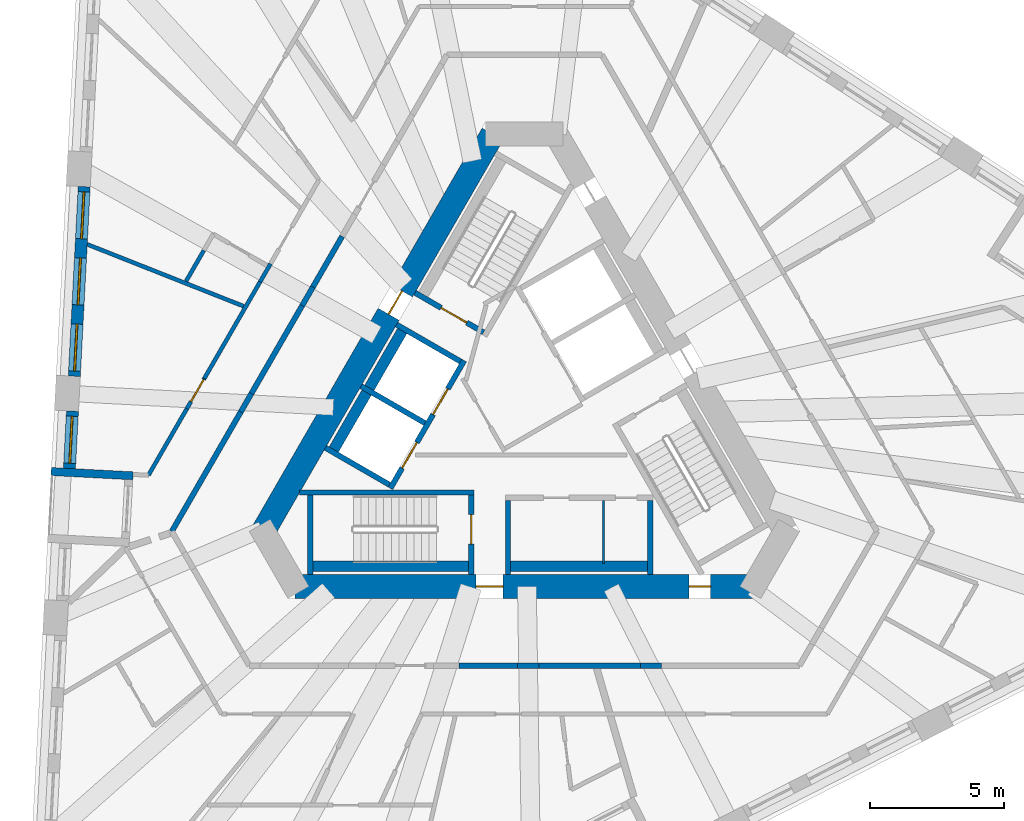
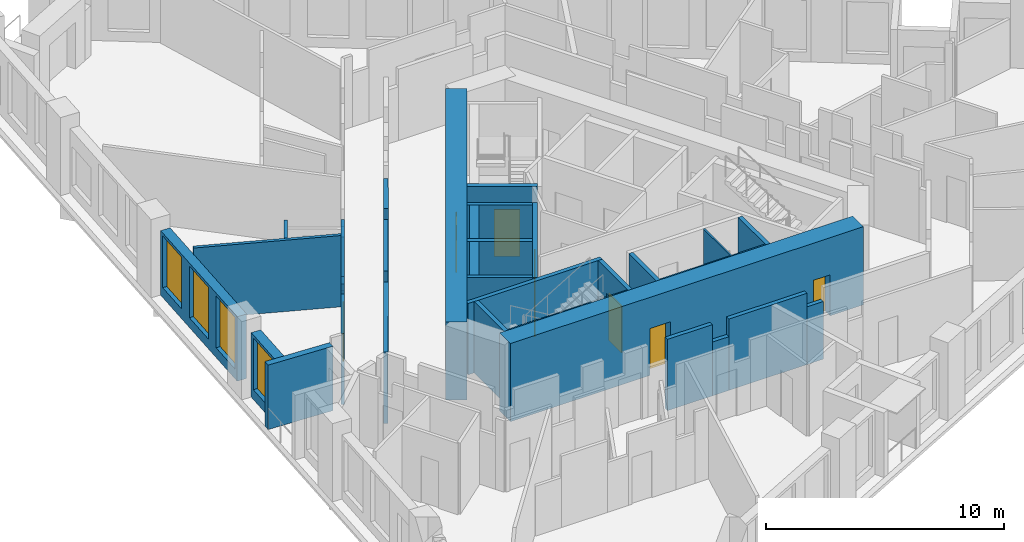
# One storey, part 4 of 13: 34 walls, 8 doors, 4 windows, 12 openings.
"""IFC4 building model written with IfcOpenShell, lengths in metres."""

from ifc_helpers import new_model, si_unit, direction, frame, frame_2d, origin, place, context, subcontext, project, spatial, polyline, rectangle, outline, extrude, material, layer, layer_set, type_object, element, fill, save


model = new_model("IFC4")

# Units and contexts
model_context = context("Model", 3, precision=1e-05, world=origin(), true_north=direction((0.0, 1.0)))
body_context = subcontext(model_context, "Body", "Model", "MODEL_VIEW")
ifc_project = project(units=[si_unit("LENGTHUNIT", "METRE"), si_unit("AREAUNIT", "SQUARE_METRE"), si_unit("VOLUMEUNIT", "CUBIC_METRE"), si_unit("PLANEANGLEUNIT", "RADIAN"), si_unit("MASSUNIT", "GRAM", prefix="KILO")], contexts=[model_context])

# Site, building, storey
site_placement = place(None, origin())
site = spatial("IfcSite", under=ifc_project, at=site_placement, CompositionType="ELEMENT")
building_placement = place(site_placement, origin())
building = spatial("IfcBuilding", under=site, at=building_placement, Name="Tramontana Tower", CompositionType="ELEMENT")
storey_placement = place(building_placement, frame((0.0, 0.0, 141.60009765625)))
storey = spatial("IfcBuildingStorey", under=building, at=storey_placement, Name="L32", CompositionType="ELEMENT", Elevation=141.60009765625)

# Wall, opening, door
ifc_material_1 = material(Name="Concrete 70 MPa", Category="concrete")
ifc_layer_1 = layer(ifc_material_1, 0.89990234375)
ifc_layer_set_1 = layer_set([ifc_layer_1], Name="Core wall 900 70 MPa")
wall_type_1 = type_object("IfcWallType", Name="Core wall 900 70 MPa", PredefinedType="SHEAR", material=ifc_layer_set_1)
wall_1_placement = place(storey_placement, frame((-1.18359375, 10.550048828125, 0.0), z_axis=(0.0, 0.0, 1.0), x_axis=(-0.500004814304, -0.866022624227, 0.0)))
wall_1 = element("IfcWall", 1, at=wall_1_placement, inside=storey, type_object=wall_type_1, Name="Core wall C1 L32", PredefinedType="SHEAR", context=body_context, shape_type="SweptSolid", body=[
    extrude(rectangle(XDim=17.089599609375, YDim=0.89990234375, at=frame_2d((8.544921875, 0.0))), origin(), (0.0, 0.0, 1.0), 4.0),
])
opening_1_placement = place(wall_1_placement, frame((6.749755859375, 0.0, 0.0)))
opening_1 = element("IfcOpeningElement", 2, at=opening_1_placement, cuts=wall_1, Name="Opening RG1", PredefinedType="OPENING", context=body_context, shape_type="SweptSolid", body=[
    extrude(rectangle(XDim=1.0, YDim=2.39990234375, at=frame_2d((0.5, 1.199951171875))), frame((0.0, 0.4599609375, 0.0), z_axis=(0.0, -1.0, 0.0), x_axis=(1.0, 0.0, 0.0)), (0.0, 0.0, 1.0), 0.919921875),
])
ifc_material_2 = material(Name="Painted steel", Category="steel")
door_type_1 = type_object("IfcDoorType", Name="RING DOOR 1000", OperationType="SINGLE_SWING_LEFT", PredefinedType="DOOR", material=ifc_material_2)
door_1_placement = place(opening_1_placement, origin())
door_1 = element("IfcDoor", 3, at=door_1_placement, inside=storey, type_object=door_type_1, Name="Door RG1", OperationType="SINGLE_SWING_RIGHT", OverallHeight=2.39990234375, OverallWidth=1.0, PredefinedType="DOOR", context=body_context, shape_type="SweptSolid", body=[
    extrude(rectangle(XDim=1.0, YDim=2.39990234375, at=frame_2d((0.5, 1.199951171875))), frame((0.0, 0.02490234375, 0.0), z_axis=(0.0, -1.0, 0.0), x_axis=(1.0, 0.0, 0.0)), (0.0, 0.0, 1.0), 0.050048828125),
])
fill(opening_1, door_1)

# Wall, openings, doors
wall_2_placement = place(storey_placement, frame((-8.544921875, -6.300048828125, 0.0), z_axis=(0.0, 0.0, 1.0), x_axis=(1.0, 0.0, 0.0)))
wall_2 = element("IfcWall", 4, at=wall_2_placement, inside=storey, type_object=wall_type_1, Name="Core wall C3 L32", PredefinedType="SHEAR", context=body_context, shape_type="SweptSolid", body=[
    extrude(rectangle(XDim=17.08984375, YDim=0.89990234375, at=frame_2d((8.544921875, 0.0))), origin(), (0.0, 0.0, 1.0), 4.0),
])
opening_2_placement = place(wall_2_placement, frame((6.749755859375, 0.0, 0.0)))
opening_2 = element("IfcOpeningElement", 5, at=opening_2_placement, cuts=wall_2, Name="Opening RG2", PredefinedType="OPENING", context=body_context, shape_type="SweptSolid", body=[
    extrude(rectangle(XDim=1.0, YDim=2.39990234375, at=frame_2d((0.5, 1.199951171875))), frame((0.0, 0.4599609375, 0.0), z_axis=(0.0, -1.0, 0.0), x_axis=(1.0, 0.0, 0.0)), (0.0, 0.0, 1.0), 0.919921875),
])
opening_3_placement = place(wall_2_placement, frame((14.678466796875, 0.0, 0.0)))
opening_3 = element("IfcOpeningElement", 6, at=opening_3_placement, cuts=wall_2, Name="Opening PD2", PredefinedType="OPENING", context=body_context, shape_type="SweptSolid", body=[
    extrude(rectangle(XDim=0.800048828125, YDim=2.10009765625, at=frame_2d((0.39990234375, 1.050048828125))), frame((0.0, 0.4599609375, 0.0), z_axis=(0.0, -1.0, 0.0), x_axis=(1.0, 0.0, 0.0)), (0.0, 0.0, 1.0), 0.919921875),
])
ifc_material_3 = material(Name="Painted steel", Category="steel")
door_type_2 = type_object("IfcDoorType", Name="CUPBOARD DOOR 800", OperationType="SINGLE_SWING_LEFT", PredefinedType="DOOR", material=ifc_material_3)
door_2_placement = place(opening_3_placement, origin())
door_2 = element("IfcDoor", 7, at=door_2_placement, inside=storey, type_object=door_type_2, Name="Door PD2", OperationType="SINGLE_SWING_LEFT", OverallHeight=2.10009765625, OverallWidth=0.800048828125, PredefinedType="DOOR", context=body_context, shape_type="SweptSolid", body=[
    extrude(rectangle(XDim=0.800048828125, YDim=2.10009765625, at=frame_2d((0.39990234375, 1.050048828125))), frame((0.0, 0.02490234375, 0.0), z_axis=(0.0, -1.0, 0.0), x_axis=(1.0, 0.0, 0.0)), (0.0, 0.0, 1.0), 0.050048828125),
])
fill(opening_3, door_2)
door_3_placement = place(opening_2_placement, origin())
door_3 = element("IfcDoor", 8, at=door_3_placement, inside=storey, type_object=door_type_1, Name="Door RG2", OperationType="SINGLE_SWING_LEFT", OverallHeight=2.39990234375, OverallWidth=1.0, PredefinedType="DOOR", context=body_context, shape_type="SweptSolid", body=[
    extrude(rectangle(XDim=1.0, YDim=2.39990234375, at=frame_2d((0.5, 1.199951171875))), frame((0.0, 0.02490234375, 0.0), z_axis=(0.0, -1.0, 0.0), x_axis=(1.0, 0.0, 0.0)), (0.0, 0.0, 1.0), 0.050048828125),
])
fill(opening_2, door_3)

# Walls
ifc_material_4 = material(Name="Blockwork", Category="masonry")
ifc_layer_2 = layer(ifc_material_4, 0.199951171875)
ifc_layer_set_2 = layer_set([ifc_layer_2], Name="ENTRY WALL 200")
wall_type_2 = type_object("IfcWallType", Name="ENTRY WALL 200", PredefinedType="SOLIDWALL", material=ifc_layer_set_2)
wall_3_placement = place(storey_placement, frame((5.10595703125, -9.25, 0.0), z_axis=(0.0, 0.0, 1.0), x_axis=(-1.0, 0.0, 0.0)))
element("IfcWall", 9, at=wall_3_placement, inside=storey, type_object=wall_type_2, Name="Wall v31-ew2-1", PredefinedType="SOLIDWALL", context=body_context, shape_type="SweptSolid", body=[
    extrude(rectangle(XDim=0.78564453125, YDim=0.199951171875, at=frame_2d((0.392822265625, 0.0))), origin(), (0.0, 0.0, 1.0), 2.949951171875),
])
wall_4_placement = place(storey_placement, frame((4.3203125, -9.25, 0.0), z_axis=(0.0, 0.0, 1.0), x_axis=(-1.0, 0.0, 0.0)))
element("IfcWall", 10, at=wall_4_placement, inside=storey, type_object=wall_type_2, Name="Wall v31-ew2-2", PredefinedType="SOLIDWALL", context=body_context, shape_type="SweptSolid", body=[
    extrude(rectangle(XDim=3.783203125, YDim=0.199951171875, at=frame_2d((1.8916015625, 0.0))), origin(), (0.0, 0.0, 1.0), 3.64990234375),
])
wall_5_placement = place(storey_placement, frame((0.537109375, -9.25, 0.0), z_axis=(0.0, 0.0, 1.0), x_axis=(-1.0, 0.0, 0.0)))
element("IfcWall", 11, at=wall_5_placement, inside=storey, type_object=wall_type_2, Name="Wall v31-ew2-3", PredefinedType="SOLIDWALL", context=body_context, shape_type="SweptSolid", body=[
    extrude(rectangle(XDim=0.800048828125, YDim=0.199951171875, at=frame_2d((0.39990234375, 0.0))), origin(), (0.0, 0.0, 1.0), 2.75),
])
wall_6_placement = place(storey_placement, frame((-0.262939453125, -9.25, 0.0), z_axis=(0.0, 0.0, 1.0), x_axis=(-1.0, 0.0, 0.0)))
element("IfcWall", 12, at=wall_6_placement, inside=storey, type_object=wall_type_2, Name="Wall v31-ew2-4", PredefinedType="SOLIDWALL", context=body_context, shape_type="SweptSolid", body=[
    extrude(rectangle(XDim=2.17822265625, YDim=0.199951171875, at=frame_2d((1.089111328125, 0.0))), origin(), (0.0, 0.0, 1.0), 3.64990234375),
])
wall_7_placement = place(storey_placement, frame((-13.134765625, -4.25, 0.0), z_axis=(0.0, 0.0, 1.0), x_axis=(0.50000466804, 0.866022708674, 0.0)))
element("IfcWall", 13, at=wall_7_placement, inside=storey, type_object=wall_type_2, Name="Wall v31-ew4-0", PredefinedType="SOLIDWALL", context=body_context, shape_type="SweptSolid", body=[
    extrude(rectangle(XDim=5.14208984375, YDim=0.199951171875, at=frame_2d((2.571044921875, 0.0))), origin(), (0.0, 0.0, 1.0), 3.64990234375),
])
wall_8_placement = place(storey_placement, frame((-10.563720703125, 0.203125, 0.0), z_axis=(0.0, 0.0, 1.0), x_axis=(0.499982474044, 0.866035522163, 0.0)))
element("IfcWall", 14, at=wall_8_placement, inside=storey, type_object=wall_type_2, Name="Wall v31-ew4-1", PredefinedType="SOLIDWALL", context=body_context, shape_type="SweptSolid", body=[
    extrude(rectangle(XDim=0.78564453125, YDim=0.199951171875, at=frame_2d((0.392822265625, 0.0))), origin(), (0.0, 0.0, 1.0), 2.949951171875),
])
wall_9_placement = place(storey_placement, frame((-10.1708984375, 0.883544921875, 0.0), z_axis=(0.0, 0.0, 1.0), x_axis=(0.499998034377, 0.866026538634, 0.0)))
element("IfcWall", 15, at=wall_9_placement, inside=storey, type_object=wall_type_2, Name="Wall v31-ew4-2", PredefinedType="SOLIDWALL", context=body_context, shape_type="SweptSolid", body=[
    extrude(rectangle(XDim=3.783203125, YDim=0.199951171875, at=frame_2d((1.8916015625, 0.0))), origin(), (0.0, 0.0, 1.0), 3.64990234375),
])
wall_10_placement = place(storey_placement, frame((-8.279296875, 4.159912109375, 0.0), z_axis=(0.0, 0.0, 1.0), x_axis=(0.500109828528, 0.865961984968, 0.0)))
element("IfcWall", 16, at=wall_10_placement, inside=storey, type_object=wall_type_2, Name="Wall v31-ew4-3", PredefinedType="SOLIDWALL", context=body_context, shape_type="SweptSolid", body=[
    extrude(rectangle(XDim=0.800048828125, YDim=0.199951171875, at=frame_2d((0.39990234375, 0.0))), origin(), (0.0, 0.0, 1.0), 2.75),
])
wall_11_placement = place(storey_placement, frame((-7.879150390625, 4.852783203125, 0.0), z_axis=(0.0, 0.0, 1.0), x_axis=(0.499948868167, 0.866054922749, 0.0)))
element("IfcWall", 17, at=wall_11_placement, inside=storey, type_object=wall_type_2, Name="Wall v31-ew4-4", PredefinedType="SOLIDWALL", context=body_context, shape_type="SweptSolid", body=[
    extrude(rectangle(XDim=2.177978515625, YDim=0.199951171875, at=frame_2d((1.0888671875, 0.0))), origin(), (0.0, 0.0, 1.0), 3.64990234375),
])

# Wall, openings, windows
ifc_material_5 = material(Name="Precast concrete 60 MPa", Category="concrete")
ifc_layer_3 = layer(ifc_material_5, 0.449951171875)
ifc_layer_set_3 = layer_set([ifc_layer_3], Name="Precast concrete 60 MPa, 450 mm")
wall_type_3 = type_object("IfcWallType", Name="EW1 Stone-faced precast wall 450", PredefinedType="SOLIDWALL", material=ifc_layer_set_3)
wall_12_placement = place(storey_placement, frame((-16.397705078125, 8.591552734375, 0.0), z_axis=(0.0, 0.0, 1.0), x_axis=(-0.052337766399, -0.998629439887, 0.0)))
wall_12 = element("IfcWall", 18, at=wall_12_placement, inside=storey, type_object=wall_type_3, Name="External wall L32 face 0 bay 3", PredefinedType="SOLIDWALL", context=body_context, shape_type="SweptSolid", body=[
    extrude(rectangle(XDim=7.07177734375, YDim=0.449951171875, at=frame_2d((3.535888671875, 0.0))), origin(), (0.0, 0.0, 1.0), 3.2998046875),
])
opening_4_placement = place(wall_12_placement, frame((0.1953125, 0.0, 0.5)))
opening_4 = element("IfcOpeningElement", 19, at=opening_4_placement, cuts=wall_12, Name="Opening M2", PredefinedType="OPENING", context=body_context, shape_type="SweptSolid", body=[
    extrude(rectangle(XDim=1.75, YDim=2.64990234375, at=frame_2d((0.875, 1.324951171875))), frame((0.0, 0.23486328125, 0.0), z_axis=(0.0, -1.0, 0.0), x_axis=(1.0, 0.0, 0.0)), (0.0, 0.0, 1.0), 0.469970703125),
])
opening_5_placement = place(wall_12_placement, frame((2.660888671875, 0.0, 0.5)))
opening_5 = element("IfcOpeningElement", 20, at=opening_5_placement, cuts=wall_12, Name="Opening M2", PredefinedType="OPENING", context=body_context, shape_type="SweptSolid", body=[
    extrude(rectangle(XDim=1.75, YDim=2.64990234375, at=frame_2d((0.875, 1.324951171875))), frame((0.0, 0.23486328125, 0.0), z_axis=(0.0, -1.0, 0.0), x_axis=(1.0, 0.0, 0.0)), (0.0, 0.0, 1.0), 0.469970703125),
])
opening_6_placement = place(wall_12_placement, frame((5.126220703125, 0.0, 0.5)))
opening_6 = element("IfcOpeningElement", 21, at=opening_6_placement, cuts=wall_12, Name="Opening M2", PredefinedType="OPENING", context=body_context, shape_type="SweptSolid", body=[
    extrude(rectangle(XDim=1.75, YDim=2.64990234375, at=frame_2d((0.875, 1.324951171875))), frame((0.0, 0.23486328125, 0.0), z_axis=(0.0, -1.0, 0.0), x_axis=(1.0, 0.0, 0.0)), (0.0, 0.0, 1.0), 0.469970703125),
])
ifc_material_6 = material(Name="Aluminum frame, double glazing unit", Category="aluminium")
window_type = type_object("IfcWindowType", Name="M2 Window 1.75 x 2.65", PartitioningType="SINGLE_PANEL", PredefinedType="WINDOW", material=ifc_material_6)
window_1_placement = place(opening_4_placement, origin())
window_1 = element("IfcWindow", 22, at=window_1_placement, inside=storey, type_object=window_type, Name="Window M2 L32 face 0 module 7", OverallHeight=2.64990234375, OverallWidth=1.75, PartitioningType="SINGLE_PANEL", PredefinedType="WINDOW", context=body_context, shape_type="SweptSolid", body=[
    extrude(rectangle(XDim=1.75, YDim=2.64990234375, at=frame_2d((0.875, 1.324951171875))), frame((0.0, 0.030029296875, 0.0), z_axis=(0.0, -1.0, 0.0), x_axis=(1.0, 0.0, 0.0)), (0.0, 0.0, 1.0), 0.06005859375),
])
fill(opening_4, window_1)
window_2_placement = place(opening_5_placement, origin())
window_2 = element("IfcWindow", 23, at=window_2_placement, inside=storey, type_object=window_type, Name="Window M2 L32 face 0 module 8", OverallHeight=2.64990234375, OverallWidth=1.75, PartitioningType="SINGLE_PANEL", PredefinedType="WINDOW", context=body_context, shape_type="SweptSolid", body=[
    extrude(rectangle(XDim=1.75, YDim=2.64990234375, at=frame_2d((0.875, 1.324951171875))), frame((0.0, 0.030029296875, 0.0), z_axis=(0.0, -1.0, 0.0), x_axis=(1.0, 0.0, 0.0)), (0.0, 0.0, 1.0), 0.06005859375),
])
fill(opening_5, window_2)
window_3_placement = place(opening_6_placement, origin())
window_3 = element("IfcWindow", 24, at=window_3_placement, inside=storey, type_object=window_type, Name="Window M2 L32 face 0 module 9", OverallHeight=2.64990234375, OverallWidth=1.75, PartitioningType="SINGLE_PANEL", PredefinedType="WINDOW", context=body_context, shape_type="SweptSolid", body=[
    extrude(rectangle(XDim=1.75, YDim=2.64990234375, at=frame_2d((0.875, 1.324951171875))), frame((0.0, 0.030029296875, 0.0), z_axis=(0.0, -1.0, 0.0), x_axis=(1.0, 0.0, 0.0)), (0.0, 0.0, 1.0), 0.06005859375),
])
fill(opening_6, window_3)

# Wall, opening, window
wall_13_placement = place(storey_placement, frame((-16.8359375, 0.2314453125, 0.0), z_axis=(0.0, 0.0, 1.0), x_axis=(-0.05234931875, -0.998628834366, 0.0)))
wall_13 = element("IfcWall", 25, at=wall_13_placement, inside=storey, type_object=wall_type_3, Name="External wall L32 face 0 bay 4", PredefinedType="SOLIDWALL", context=body_context, shape_type="SweptSolid", body=[
    extrude(rectangle(XDim=2.140625, YDim=0.449951171875, at=frame_2d((1.0703125, 0.0))), origin(), (0.0, 0.0, 1.0), 3.2998046875),
])
opening_7_placement = place(wall_13_placement, frame((0.1953125, 0.0, 0.5)))
opening_7 = element("IfcOpeningElement", 26, at=opening_7_placement, cuts=wall_13, Name="Opening M2", PredefinedType="OPENING", context=body_context, shape_type="SweptSolid", body=[
    extrude(rectangle(XDim=1.75, YDim=2.64990234375, at=frame_2d((0.875, 1.324951171875))), frame((0.0, 0.23486328125, 0.0), z_axis=(0.0, -1.0, 0.0), x_axis=(1.0, 0.0, 0.0)), (0.0, 0.0, 1.0), 0.469970703125),
])
window_4_placement = place(opening_7_placement, origin())
window_4 = element("IfcWindow", 27, at=window_4_placement, inside=storey, type_object=window_type, Name="Window M2 L32 face 0 module 10", OverallHeight=2.64990234375, OverallWidth=1.75, PartitioningType="SINGLE_PANEL", PredefinedType="WINDOW", context=body_context, shape_type="SweptSolid", body=[
    extrude(rectangle(XDim=1.75, YDim=2.64990234375, at=frame_2d((0.875, 1.324951171875))), frame((0.0, 0.030029296875, 0.0), z_axis=(0.0, -1.0, 0.0), x_axis=(1.0, 0.0, 0.0)), (0.0, 0.0, 1.0), 0.06005859375),
])
fill(opening_7, window_4)

# Walls
ifc_material_7 = material(Name="Precast concrete 60 MPa", Category="concrete")
ifc_layer_4 = layer(ifc_material_7, 0.300048828125)
ifc_layer_set_4 = layer_set([ifc_layer_4], Name="LW1 Stone-faced loggia wall 300")
wall_type_4 = type_object("IfcWallType", Name="LW1 Stone-faced loggia wall 300", PredefinedType="SOLIDWALL", material=ifc_layer_set_4)
wall_14_placement = place(storey_placement, frame((-17.6298828125, -2.0205078125, 0.0), z_axis=(0.0, 0.0, 1.0), x_axis=(0.99862886304, -0.052348771756, 0.0)))
element("IfcWall", 28, at=wall_14_placement, inside=storey, type_object=wall_type_4, Name="Loggia return L32 G3S0.10a", PredefinedType="SOLIDWALL", context=body_context, shape_type="SweptSolid", body=[
    extrude(rectangle(XDim=3.050048828125, YDim=0.300048828125, at=frame_2d((1.52490234375, 0.0))), origin(), (0.0, 0.0, 1.0), 3.2998046875),
])
ifc_material_8 = material(Name="Gypsum board partition")
ifc_layer_5 = layer(ifc_material_8, 0.14990234375)
ifc_layer_set_5 = layer_set([ifc_layer_5], Name="PARTITION 150")
wall_type_5 = type_object("IfcWallType", Name="PARTITION 150", PredefinedType="PARTITIONING", material=ifc_layer_set_5)
wall_15_placement = place(storey_placement, frame((-14.006103515625, -2.159423828125, 0.0), z_axis=(0.0, 0.0, 1.0), x_axis=(0.499943820161, 0.8660578368, 0.0)))
element("IfcWall", 29, at=wall_15_placement, inside=storey, type_object=wall_type_5, Name="Wall v31-pw04-0", PredefinedType="PARTITIONING", context=body_context, shape_type="SweptSolid", body=[
    extrude(rectangle(XDim=2.864013671875, YDim=0.14990234375, at=frame_2d((1.43212890625, 0.0))), origin(), (0.0, 0.0, 1.0), 3.64990234375),
])

# Wall, opening, door
wall_16_placement = place(storey_placement, frame((-12.57421875, 0.321044921875, 0.0), z_axis=(0.0, 0.0, 1.0), x_axis=(0.500133819797, 0.865948129102, 0.0)))
wall_16 = element("IfcWall", 30, at=wall_16_placement, inside=storey, type_object=wall_type_5, Name="Wall v31-pw04-1", PredefinedType="PARTITIONING", context=body_context, shape_type="SweptSolid", body=[
    extrude(outline(polyline([(0.0, 0.0), (1.301513671875, 0.0), (1.301513671875, 3.64990234375), (0.757568359375, 3.64990234375), (0.757568359375, 2.949951171875), (0.0, 2.949951171875), (0.0, 0.0)])), frame((0.0, 0.074951171875, 0.0), z_axis=(0.0, -1.0, 0.0), x_axis=(1.0, 0.0, 0.0)), (0.0, 0.0, 1.0), 0.14990234375),
])
opening_8_placement = place(wall_16_placement, frame((0.301513671875, 0.0, 0.0)))
opening_8 = element("IfcOpeningElement", 31, at=opening_8_placement, cuts=wall_16, Name="Opening B3B-06", PredefinedType="OPENING", context=body_context, shape_type="SweptSolid", body=[
    extrude(rectangle(XDim=0.949951171875, YDim=2.39990234375, at=frame_2d((0.47509765625, 1.199951171875))), frame((0.0, 0.0849609375, 0.0), z_axis=(0.0, -1.0, 0.0), x_axis=(1.0, 0.0, 0.0)), (0.0, 0.0, 1.0), 0.169921875),
])
ifc_material_9 = material(Name="Painted timber", Category="wood")
door_type_3 = type_object("IfcDoorType", Name="DOOR ROOM 950", OperationType="SINGLE_SWING_LEFT", PredefinedType="DOOR", material=ifc_material_9)
door_4_placement = place(opening_8_placement, origin())
door_4 = element("IfcDoor", 32, at=door_4_placement, inside=storey, type_object=door_type_3, Name="Door B3B-06", OperationType="SINGLE_SWING_RIGHT", OverallHeight=2.39990234375, OverallWidth=0.949951171875, PredefinedType="DOOR", context=body_context, shape_type="SweptSolid", body=[
    extrude(rectangle(XDim=0.949951171875, YDim=2.39990234375, at=frame_2d((0.47509765625, 1.199951171875))), frame((0.0, 0.02490234375, 0.0), z_axis=(0.0, -1.0, 0.0), x_axis=(1.0, 0.0, 0.0)), (0.0, 0.0, 1.0), 0.050048828125),
])
fill(opening_8, door_4)

# Walls
wall_17_placement = place(storey_placement, frame((-11.92333984375, 1.447998046875, 0.0), z_axis=(0.0, 0.0, 1.0), x_axis=(0.499980071345, 0.866036909293, 0.0)))
element("IfcWall", 33, at=wall_17_placement, inside=storey, type_object=wall_type_5, Name="Wall v31-pw04-2", PredefinedType="PARTITIONING", context=body_context, shape_type="SweptSolid", body=[
    extrude(rectangle(XDim=4.156494140625, YDim=0.14990234375, at=frame_2d((2.078125, 0.0))), origin(), (0.0, 0.0, 1.0), 3.64990234375),
])
wall_18_placement = place(storey_placement, frame((-9.84521484375, 5.047607421875, 0.0), z_axis=(0.0, 0.0, 1.0), x_axis=(0.499967891604, 0.866043940782, 0.0)))
element("IfcWall", 34, at=wall_18_placement, inside=storey, type_object=wall_type_5, Name="Wall v31-pw04-3", PredefinedType="PARTITIONING", context=body_context, shape_type="SweptSolid", body=[
    extrude(rectangle(XDim=0.77490234375, YDim=0.14990234375, at=frame_2d((0.387451171875, 0.0))), origin(), (0.0, 0.0, 1.0), 2.75),
])
wall_19_placement = place(storey_placement, frame((-12.605224609375, 5.067138671875, 0.0), z_axis=(0.0, 0.0, 1.0), x_axis=(0.500035527442, 0.866004891035, 0.0)))
element("IfcWall", 35, at=wall_19_placement, inside=storey, type_object=wall_type_5, Name="Wall v31-pw08-0", PredefinedType="PARTITIONING", context=body_context, shape_type="SweptSolid", body=[
    extrude(rectangle(XDim=1.32763671875, YDim=0.14990234375, at=frame_2d((0.663818359375, 0.0))), origin(), (0.0, 0.0, 1.0), 3.64990234375),
])
wall_20_placement = place(storey_placement, frame((-10.45751953125, 4.136962890625, 0.0), z_axis=(0.0, 0.0, 1.0), x_axis=(-0.929893797105, 0.36782812033, 0.0)))
element("IfcWall", 36, at=wall_20_placement, inside=storey, type_object=wall_type_5, Name="Wall v31-pw13", PredefinedType="PARTITIONING", context=body_context, shape_type="SweptSolid", body=[
    extrude(rectangle(XDim=6.26708984375, YDim=0.14990234375, at=frame_2d((3.133544921875, 0.0))), origin(), (0.0, 0.0, 1.0), 3.64990234375),
])
ifc_material_10 = material(Name="Gypsum board partition")
ifc_layer_6 = layer(ifc_material_10, 0.080078125)
ifc_layer_set_6 = layer_set([ifc_layer_6], Name="PARTITION 80")
wall_type_6 = type_object("IfcWallType", Name="PARTITION 80", PredefinedType="PARTITIONING", material=ifc_layer_set_6)
wall_21_placement = place(storey_placement, frame((2.93994140625, -3.10009765625, 0.0), z_axis=(0.0, 0.0, 1.0), x_axis=(0.0, -1.0, 0.0)))
element("IfcWall", 37, at=wall_21_placement, inside=storey, type_object=wall_type_6, Name="Wall row1-split", PredefinedType="PARTITIONING", context=body_context, shape_type="SweptSolid", body=[
    extrude(rectangle(XDim=2.349853515625, YDim=0.080078125, at=frame_2d((1.1748046875, 0.0))), origin(), (0.0, 0.0, 1.0), 3.64990234375),
])
ifc_material_11 = material(Name="Concrete 70 MPa", Category="concrete")
ifc_layer_7 = layer(ifc_material_11, 0.39990234375)
ifc_layer_set_7 = layer_set([ifc_layer_7], Name="Concrete 70 MPa, 400 mm")
wall_type_7 = type_object("IfcWallType", Name="RC SHAFT BACK WALL 400", PredefinedType="SOLIDWALL", material=ifc_layer_set_7)
wall_22_placement = place(storey_placement, frame((-8.080078125, -5.550048828125, 0.0), z_axis=(0.0, 0.0, 1.0), x_axis=(1.0, 0.0, 0.0)))
element("IfcWall", 38, at=wall_22_placement, inside=storey, type_object=wall_type_7, Name="Wall st2-back", PredefinedType="SOLIDWALL", context=body_context, shape_type="SweptSolid", body=[
    extrude(rectangle(XDim=6.2001953125, YDim=0.39990234375, at=frame_2d((3.10009765625, 0.0))), origin(), (0.0, 0.0, 1.0), 3.64990234375),
])
for number, where, z_axis, x_axis, name in (
    (39, (-4.451416015625, 3.389892578125, 0.0), (0.0, 0.0, 1.0), (-0.499996545922, -0.866027397988, 0.0), "Wall row0-back"),
    (40, (-0.7099609375, -5.550048828125, 0.0), (0.0, 0.0, 1.0), (1.0, 0.0, 0.0), "Wall row1-back"),
):
    element("IfcWall", number, at=place(storey_placement, frame(where, z_axis=z_axis, x_axis=x_axis)), inside=storey, type_object=wall_type_7, Name=name, PredefinedType="SOLIDWALL", context=body_context, shape_type="SweptSolid", body=[
        extrude(rectangle(XDim=5.5, YDim=0.39990234375, at=frame_2d((2.75, 0.0))), origin(), (0.0, 0.0, 1.0), 3.64990234375),
    ])

# Wall, opening, door
ifc_material_12 = material(Name="Concrete 70 MPa", Category="concrete")
ifc_layer_8 = layer(ifc_material_12, 0.199951171875)
ifc_layer_set_8 = layer_set([ifc_layer_8], Name="Concrete 70 MPa, 200 mm")
wall_type_8 = type_object("IfcWallType", Name="RC STAIR AND SHAFT WALL 200", PredefinedType="SOLIDWALL", material=ifc_layer_set_8)
wall_23_placement = place(storey_placement, frame((-1.521484375, 3.164794921875, 0.0), z_axis=(0.0, 0.0, 1.0), x_axis=(-0.866039495442, 0.49997559174, 0.0)))
wall_23 = element("IfcWall", 41, at=wall_23_placement, inside=storey, type_object=wall_type_8, Name="Wall st1-near", PredefinedType="SOLIDWALL", context=body_context, shape_type="SweptSolid", body=[
    extrude(rectangle(XDim=2.949951171875, YDim=0.199951171875, at=frame_2d((1.47509765625, 0.0))), origin(), (0.0, 0.0, 1.0), 3.64990234375),
])
opening_9_placement = place(wall_23_placement, frame((0.72509765625, 0.0, 0.0)))
opening_9 = element("IfcOpeningElement", 42, at=opening_9_placement, cuts=wall_23, Name="Opening SD1", PredefinedType="OPENING", context=body_context, shape_type="SweptSolid", body=[
    extrude(rectangle(XDim=1.10009765625, YDim=2.39990234375, at=frame_2d((0.550048828125, 1.199951171875))), frame((0.0, 0.10986328125, 0.0), z_axis=(0.0, -1.0, 0.0), x_axis=(1.0, 0.0, 0.0)), (0.0, 0.0, 1.0), 0.219970703125),
])
ifc_material_13 = material(Name="Painted steel", Category="steel")
door_type_4 = type_object("IfcDoorType", Name="STAIR DOOR 1100", OperationType="SINGLE_SWING_LEFT", PredefinedType="DOOR", material=ifc_material_13)
door_5_placement = place(opening_9_placement, origin())
door_5 = element("IfcDoor", 43, at=door_5_placement, inside=storey, type_object=door_type_4, Name="Door SD1", OperationType="SINGLE_SWING_RIGHT", OverallHeight=2.39990234375, OverallWidth=1.10009765625, PredefinedType="DOOR", context=body_context, shape_type="SweptSolid", body=[
    extrude(rectangle(XDim=1.10009765625, YDim=2.39990234375, at=frame_2d((0.550048828125, 1.199951171875))), frame((0.0, 0.02490234375, 0.0), z_axis=(0.0, -1.0, 0.0), x_axis=(1.0, 0.0, 0.0)), (0.0, 0.0, 1.0), 0.050048828125),
])
fill(opening_9, door_5)

# Walls
wall_24_placement = place(storey_placement, frame((-8.37158203125, -2.800048828125, 0.0), z_axis=(0.0, 0.0, 1.0), x_axis=(1.0, 0.0, 0.0)))
element("IfcWall", 44, at=wall_24_placement, inside=storey, type_object=wall_type_8, Name="Wall st2-front", PredefinedType="SOLIDWALL", context=body_context, shape_type="SweptSolid", body=[
    extrude(rectangle(XDim=6.49169921875, YDim=0.199951171875, at=frame_2d((3.245849609375, 0.0))), origin(), (0.0, 0.0, 1.0), 3.64990234375),
])
wall_25_placement = place(storey_placement, frame((-7.97998046875, -2.89990234375, 0.0), z_axis=(0.0, 0.0, 1.0), x_axis=(0.0, -1.0, 0.0)))
element("IfcWall", 45, at=wall_25_placement, inside=storey, type_object=wall_type_8, Name="Wall st2-far", PredefinedType="SOLIDWALL", context=body_context, shape_type="SweptSolid", body=[
    extrude(rectangle(XDim=2.9501953125, YDim=0.199951171875, at=frame_2d((1.47509765625, 0.0))), origin(), (0.0, 0.0, 1.0), 3.64990234375),
])

# Wall, opening, door
wall_26_placement = place(storey_placement, frame((-1.97998046875, -2.89990234375, 0.0), z_axis=(0.0, 0.0, 1.0), x_axis=(0.0, -1.0, 0.0)))
wall_26 = element("IfcWall", 46, at=wall_26_placement, inside=storey, type_object=wall_type_8, Name="Wall st2-near", PredefinedType="SOLIDWALL", context=body_context, shape_type="SweptSolid", body=[
    extrude(rectangle(XDim=2.9501953125, YDim=0.199951171875, at=frame_2d((1.47509765625, 0.0))), origin(), (0.0, 0.0, 1.0), 3.64990234375),
])
opening_10_placement = place(wall_26_placement, frame((0.72509765625, 0.0, 0.0)))
opening_10 = element("IfcOpeningElement", 47, at=opening_10_placement, cuts=wall_26, Name="Opening SD2", PredefinedType="OPENING", context=body_context, shape_type="SweptSolid", body=[
    extrude(rectangle(XDim=1.10009765625, YDim=2.39990234375, at=frame_2d((0.550048828125, 1.199951171875))), frame((0.0, 0.10986328125, 0.0), z_axis=(0.0, -1.0, 0.0), x_axis=(1.0, 0.0, 0.0)), (0.0, 0.0, 1.0), 0.219970703125),
])
door_6_placement = place(opening_10_placement, origin())
door_6 = element("IfcDoor", 48, at=door_6_placement, inside=storey, type_object=door_type_4, Name="Door SD2", OperationType="SINGLE_SWING_LEFT", OverallHeight=2.39990234375, OverallWidth=1.10009765625, PredefinedType="DOOR", context=body_context, shape_type="SweptSolid", body=[
    extrude(rectangle(XDim=1.10009765625, YDim=2.39990234375, at=frame_2d((0.550048828125, 1.199951171875))), frame((0.0, 0.02490234375, 0.0), z_axis=(0.0, -1.0, 0.0), x_axis=(1.0, 0.0, 0.0)), (0.0, 0.0, 1.0), 0.050048828125),
])
fill(opening_10, door_6)

# Wall, openings, doors
wall_27_placement = place(storey_placement, frame((-2.2431640625, 2.114990234375, 0.0), z_axis=(0.0, 0.0, 1.0), x_axis=(-0.499996545922, -0.866027397988, 0.0)))
wall_27 = element("IfcWall", 49, at=wall_27_placement, inside=storey, type_object=wall_type_8, Name="Wall row0-front", PredefinedType="SOLIDWALL", context=body_context, shape_type="SweptSolid", body=[
    extrude(rectangle(XDim=5.5, YDim=0.199951171875, at=frame_2d((2.75, 0.0))), origin(), (0.0, 0.0, 1.0), 3.64990234375),
])
opening_11_placement = place(wall_27_placement, frame((1.219970703125, 0.0, 0.0)))
opening_11 = element("IfcOpeningElement", 50, at=opening_11_placement, cuts=wall_27, Name="Opening LD-P1", PredefinedType="OPENING", context=body_context, shape_type="SweptSolid", body=[
    extrude(rectangle(XDim=1.10009765625, YDim=2.10009765625, at=frame_2d((0.550048828125, 1.050048828125))), frame((0.0, 0.10986328125, 0.0), z_axis=(0.0, -1.0, 0.0), x_axis=(1.0, 0.0, 0.0)), (0.0, 0.0, 1.0), 0.219970703125),
])
opening_12_placement = place(wall_27_placement, frame((3.52490234375, 0.0, 0.0)))
opening_12 = element("IfcOpeningElement", 51, at=opening_12_placement, cuts=wall_27, Name="Opening LD-P2", PredefinedType="OPENING", context=body_context, shape_type="SweptSolid", body=[
    extrude(rectangle(XDim=1.10009765625, YDim=2.10009765625, at=frame_2d((0.550048828125, 1.050048828125))), frame((0.0, 0.10986328125, 0.0), z_axis=(0.0, -1.0, 0.0), x_axis=(1.0, 0.0, 0.0)), (0.0, 0.0, 1.0), 0.219970703125),
])
ifc_material_14 = material(Name="Brushed steel", Category="steel")
door_type_5 = type_object("IfcDoorType", Name="LANDING DOOR 1100", OperationType="SINGLE_SWING_LEFT", PredefinedType="DOOR", material=ifc_material_14)
door_7_placement = place(opening_11_placement, origin())
door_7 = element("IfcDoor", 52, at=door_7_placement, inside=storey, type_object=door_type_5, Name="Door LD-P1", OperationType="SLIDING_TO_LEFT", OverallHeight=2.10009765625, OverallWidth=1.10009765625, PredefinedType="DOOR", context=body_context, shape_type="SweptSolid", body=[
    extrude(rectangle(XDim=1.10009765625, YDim=2.10009765625, at=frame_2d((0.550048828125, 1.050048828125))), frame((0.0, 0.02490234375, 0.0), z_axis=(0.0, -1.0, 0.0), x_axis=(1.0, 0.0, 0.0)), (0.0, 0.0, 1.0), 0.050048828125),
])
fill(opening_11, door_7)
door_8_placement = place(opening_12_placement, origin())
door_8 = element("IfcDoor", 53, at=door_8_placement, inside=storey, type_object=door_type_5, Name="Door LD-P2", OperationType="SLIDING_TO_RIGHT", OverallHeight=2.10009765625, OverallWidth=1.10009765625, PredefinedType="DOOR", context=body_context, shape_type="SweptSolid", body=[
    extrude(rectangle(XDim=1.10009765625, YDim=2.10009765625, at=frame_2d((0.550048828125, 1.050048828125))), frame((0.0, 0.02490234375, 0.0), z_axis=(0.0, -1.0, 0.0), x_axis=(1.0, 0.0, 0.0)), (0.0, 0.0, 1.0), 0.050048828125),
])
fill(opening_12, door_8)

# Walls
for number, where, z_axis, x_axis, name in (
    (54, (-2.379638671875, 2.078369140625, 0.0), (0.0, 0.0, 1.0), (-0.866027397988, 0.499996545922, 0.0), "Wall row0-side0"),
    (55, (-3.70458984375, -0.216796875, 0.0), (0.0, 0.0, 1.0), (-0.866027397988, 0.499996545922, 0.0), "Wall row0-side1"),
):
    element("IfcWall", number, at=place(storey_placement, frame(where, z_axis=z_axis, x_axis=x_axis)), inside=storey, type_object=wall_type_8, Name=name, PredefinedType="SOLIDWALL", context=body_context, shape_type="SweptSolid", body=[
        extrude(rectangle(XDim=2.75, YDim=0.199951171875, at=frame_2d((1.375, 0.0))), origin(), (0.0, 0.0, 1.0), 3.64990234375),
    ])
wall_28_placement = place(storey_placement, frame((-5.02978515625, -2.51171875, 0.0), z_axis=(0.0, 0.0, 1.0), x_axis=(-0.866005201286, 0.500034990121, 0.0)))
element("IfcWall", 56, at=wall_28_placement, inside=storey, type_object=wall_type_8, Name="Wall row0-side2", PredefinedType="SOLIDWALL", context=body_context, shape_type="SweptSolid", body=[
    extrude(rectangle(XDim=2.749755859375, YDim=0.199951171875, at=frame_2d((1.375, 0.0))), origin(), (0.0, 0.0, 1.0), 3.64990234375),
])
for number, where, z_axis, x_axis, name in (
    (57, (-0.610107421875, -3.10009765625, 0.0), (0.0, 0.0, 1.0), (0.0, -1.0, 0.0), "Wall row1-side0"),
    (58, (4.68994140625, -3.10009765625, 0.0), (0.0, 0.0, 1.0), (0.0, -1.0, 0.0), "Wall row1-side2"),
):
    element("IfcWall", number, at=place(storey_placement, frame(where, z_axis=z_axis, x_axis=x_axis)), inside=storey, type_object=wall_type_8, Name=name, PredefinedType="SOLIDWALL", context=body_context, shape_type="SweptSolid", body=[
        extrude(rectangle(XDim=2.75, YDim=0.199951171875, at=frame_2d((1.375, 0.0))), origin(), (0.0, 0.0, 1.0), 3.64990234375),
    ])

save(model, "model.ifc")
